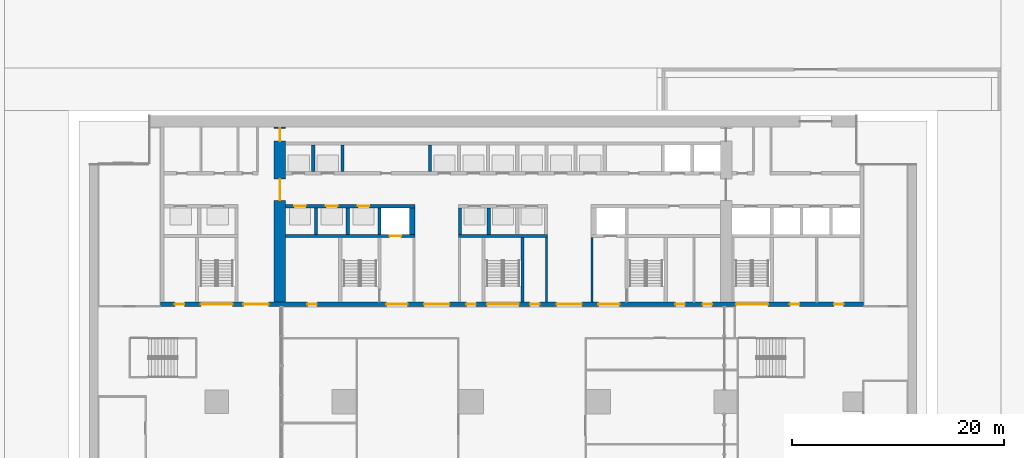
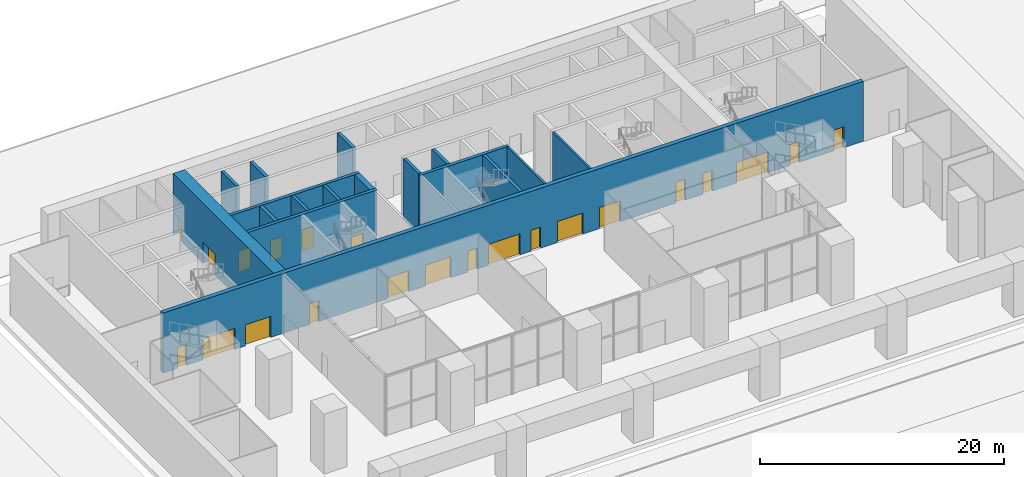
# One storey, part 7 of 16: 22 doors, 17 walls, 22 openings.
"""IFC4 building model written with IfcOpenShell, lengths in metres."""

from ifc_helpers import new_model, si_unit, direction, frame, frame_2d, origin, place, context, subcontext, project, spatial, rectangle, extrude, material, layer, layer_set, type_object, element, fill, save


model = new_model("IFC4")

# Units and contexts
model_context = context("Model", 3, precision=1e-05, world=origin(), true_north=direction((0.0, 1.0)))
body_context = subcontext(model_context, "Body", "Model", "MODEL_VIEW")
ifc_project = project(units=[si_unit("LENGTHUNIT", "METRE"), si_unit("AREAUNIT", "SQUARE_METRE"), si_unit("VOLUMEUNIT", "CUBIC_METRE"), si_unit("PLANEANGLEUNIT", "RADIAN"), si_unit("MASSUNIT", "GRAM", prefix="KILO")], contexts=[model_context])

# Site, building, storey
site_placement = place(None, origin())
site = spatial("IfcSite", under=ifc_project, at=site_placement, CompositionType="ELEMENT")
building_placement = place(site_placement, origin())
building = spatial("IfcBuilding", under=site, at=building_placement, Name="Calvaro Tower", CompositionType="ELEMENT")
storey_placement = place(building_placement, origin())
storey = spatial("IfcBuildingStorey", under=building, at=storey_placement, Name="L00", CompositionType="ELEMENT", Elevation=0.0)

# Walls
ifc_material_1 = material(Name="Blockwork partition", Category="masonry")
ifc_layer_1 = layer(ifc_material_1, 0.199951171875)
ifc_layer_set_1 = layer_set([ifc_layer_1], Name="Blockwork partition")
wall_type_1 = type_object("IfcWallType", Name="Core partition 200 REI 120", PredefinedType="PARTITIONING", material=ifc_layer_set_1)
for number, where, z_axis, x_axis, name in (
    (1, (43.10009765625, 28.39990234375, 0.0), (0.0, 0.0, 1.0), (0.0, 1.0, 0.0), "Core partition"),
    (2, (47.39990234375, 28.39990234375, 0.0), (0.0, 0.0, 1.0), (0.0, 1.0, 0.0), "Core partition"),
):
    element("IfcWall", number, at=place(storey_placement, frame(where, z_axis=z_axis, x_axis=x_axis)), inside=storey, type_object=wall_type_1, Name=name, PredefinedType="PARTITIONING", context=body_context, shape_type="SweptSolid", body=[
        extrude(rectangle(XDim=6.10009765625, YDim=0.199951171875, at=frame_2d((3.050048828125, 0.0))), origin(), (0.0, 0.0, 1.0), 6.0),
    ])

# Wall, openings, doors
ifc_material_2 = material(Name="Concrete C80/95", Category="concrete")
ifc_layer_2 = layer(ifc_material_2, 1.10009765625)
ifc_layer_set_2 = layer_set([ifc_layer_2], Name="Concrete C80/95")
wall_type_2 = type_object("IfcWallType", Name="Core wall C80/95 1100", PredefinedType="SHEAR", material=ifc_layer_set_2)
wall_1_placement = place(storey_placement, frame((17.949951171875, 28.39990234375, 0.0), z_axis=(0.0, 0.0, 1.0), x_axis=(0.0, 1.0, 0.0)))
wall_1 = element("IfcWall", 3, at=wall_1_placement, inside=storey, type_object=wall_type_2, Name="Core wall, cross shear wall", PredefinedType="SHEAR", context=body_context, shape_type="SweptSolid", body=[
    extrude(rectangle(XDim=16.5, YDim=1.10009765625, at=frame_2d((8.25, 0.0))), origin(), (0.0, 0.0, 1.0), 6.0),
])
opening_1_placement = place(wall_1_placement, frame((9.60009765625, 0.0, 0.0)))
opening_1 = element("IfcOpeningElement", 4, at=opening_1_placement, cuts=wall_1, Name="Opening DD20D", PredefinedType="OPENING", context=body_context, shape_type="SweptSolid", body=[
    extrude(rectangle(XDim=2.0, YDim=2.10009765625, at=frame_2d((1.0, 1.050048828125))), frame((0.0, 0.56005859375, 0.0), z_axis=(0.0, -1.0, 0.0), x_axis=(1.0, 0.0, 0.0)), (0.0, 0.0, 1.0), 1.1201171875),
])
opening_2_placement = place(wall_1_placement, frame((15.199951171875, 0.0, 0.0)))
opening_2 = element("IfcOpeningElement", 5, at=opening_2_placement, cuts=wall_1, Name="Opening FD12C", PredefinedType="OPENING", context=body_context, shape_type="SweptSolid", body=[
    extrude(rectangle(XDim=1.199951171875, YDim=2.10009765625, at=frame_2d((0.60009765625, 1.050048828125))), frame((0.0, 0.56005859375, 0.0), z_axis=(0.0, -1.0, 0.0), x_axis=(1.0, 0.0, 0.0)), (0.0, 0.0, 1.0), 1.1201171875),
])
ifc_material_3 = material(Name="Steel door set", Category="steel")
door_type_1 = type_object("IfcDoorType", Name="Fire door 1200 FD30", OperationType="SINGLE_SWING_LEFT", PredefinedType="DOOR", material=ifc_material_3)
door_1_placement = place(opening_2_placement, origin())
door_1 = element("IfcDoor", 6, at=door_1_placement, inside=storey, type_object=door_type_1, Name="Fire door", OperationType="SINGLE_SWING_RIGHT", OverallHeight=2.10009765625, OverallWidth=1.199951171875, PredefinedType="DOOR", context=body_context, shape_type="SweptSolid", body=[
    extrude(rectangle(XDim=1.199951171875, YDim=2.10009765625, at=frame_2d((0.60009765625, 1.050048828125))), frame((0.0, 0.02490234375, 0.0), z_axis=(0.0, -1.0, 0.0), x_axis=(1.0, 0.0, 0.0)), (0.0, 0.0, 1.0), 0.050048828125),
])
fill(opening_2, door_1)
ifc_material_4 = material(Name="Steel door set", Category="steel")
door_type_2 = type_object("IfcDoorType", Name="Lobby double door 2000 FD30S", OperationType="DOUBLE_DOOR_SINGLE_SWING", PredefinedType="DOOR", material=ifc_material_4)
door_2_placement = place(opening_1_placement, origin())
door_2 = element("IfcDoor", 7, at=door_2_placement, inside=storey, type_object=door_type_2, Name="Lobby double door", OperationType="DOUBLE_DOOR_SINGLE_SWING", OverallHeight=2.10009765625, OverallWidth=2.0, PredefinedType="DOOR", context=body_context, shape_type="SweptSolid", body=[
    extrude(rectangle(XDim=2.0, YDim=2.10009765625, at=frame_2d((1.0, 1.050048828125))), frame((0.0, 0.02490234375, 0.0), z_axis=(0.0, -1.0, 0.0), x_axis=(1.0, 0.0, 0.0)), (0.0, 0.0, 1.0), 0.050048828125),
])
fill(opening_1, door_2)

# Wall
ifc_material_5 = material(Name="Concrete C80/95", Category="concrete")
ifc_layer_3 = layer(ifc_material_5, 0.300048828125)
ifc_layer_set_3 = layer_set([ifc_layer_3], Name="Concrete C80/95")
wall_type_3 = type_object("IfcWallType", Name="Core wall C80/95 300", PredefinedType="SHEAR", material=ifc_layer_set_3)
wall_2_placement = place(storey_placement, frame((40.85009765625, 28.39990234375, 0.0), z_axis=(0.0, 0.0, 1.0), x_axis=(0.0, 1.0, 0.0)))
element("IfcWall", 8, at=wall_2_placement, inside=storey, type_object=wall_type_3, Name="Core wall, stair enclosure", PredefinedType="SHEAR", context=body_context, shape_type="SweptSolid", body=[
    extrude(rectangle(XDim=6.10009765625, YDim=0.300048828125, at=frame_2d((3.050048828125, 0.0))), origin(), (0.0, 0.0, 1.0), 6.0),
])

# Wall, opening, door
wall_3_placement = place(storey_placement, frame((18.5, 34.64990234375, 0.0), z_axis=(0.0, 0.0, 1.0), x_axis=(1.0, 0.0, 0.0)))
wall_3 = element("IfcWall", 9, at=wall_3_placement, inside=storey, type_object=wall_type_3, Name="Core wall, lift shaft", PredefinedType="SHEAR", context=body_context, shape_type="SweptSolid", body=[
    extrude(rectangle(XDim=12.199951171875, YDim=0.300048828125, at=frame_2d((6.10009765625, 0.0))), origin(), (0.0, 0.0, 1.0), 6.0),
])
opening_3_placement = place(wall_3_placement, frame((9.800048828125, 0.0, 0.0)))
opening_3 = element("IfcOpeningElement", 10, at=opening_3_placement, cuts=wall_3, Name="Opening FF1", PredefinedType="OPENING", context=body_context, shape_type="SweptSolid", body=[
    extrude(rectangle(XDim=1.10009765625, YDim=2.10009765625, at=frame_2d((0.550048828125, 1.050048828125))), frame((0.0, 0.159912109375, 0.0), z_axis=(0.0, -1.0, 0.0), x_axis=(1.0, 0.0, 0.0)), (0.0, 0.0, 1.0), 0.320068359375),
])
ifc_material_6 = material(Name="Stainless steel", Category="steel")
door_type_3 = type_object("IfcDoorType", Name="Landing door 1100 E 60", OperationType="SLIDING_TO_LEFT", PredefinedType="DOOR", material=ifc_material_6)
door_3_placement = place(opening_3_placement, origin())
door_3 = element("IfcDoor", 11, at=door_3_placement, inside=storey, type_object=door_type_3, Name="Landing door FF1", OperationType="SLIDING_TO_LEFT", OverallHeight=2.10009765625, OverallWidth=1.10009765625, PredefinedType="DOOR", context=body_context, shape_type="SweptSolid", body=[
    extrude(rectangle(XDim=1.10009765625, YDim=2.10009765625, at=frame_2d((0.550048828125, 1.050048828125))), frame((0.0, 0.02490234375, 0.0), z_axis=(0.0, -1.0, 0.0), x_axis=(1.0, 0.0, 0.0)), (0.0, 0.0, 1.0), 0.050048828125),
])
fill(opening_3, door_3)

# Wall
wall_4_placement = place(storey_placement, frame((34.800048828125, 34.64990234375, 0.0), z_axis=(0.0, 0.0, 1.0), x_axis=(1.0, 0.0, 0.0)))
element("IfcWall", 12, at=wall_4_placement, inside=storey, type_object=wall_type_3, Name="Core wall, lift shaft", PredefinedType="SHEAR", context=body_context, shape_type="SweptSolid", body=[
    extrude(rectangle(XDim=8.39990234375, YDim=0.300048828125, at=frame_2d((4.199951171875, 0.0))), origin(), (0.0, 0.0, 1.0), 6.0),
])

# Wall, openings, doors
wall_5_placement = place(storey_placement, frame((18.5, 37.449951171875, 0.0), z_axis=(0.0, 0.0, 1.0), x_axis=(1.0, 0.0, 0.0)))
wall_5 = element("IfcWall", 13, at=wall_5_placement, inside=storey, type_object=wall_type_3, Name="Core wall, lift shaft", PredefinedType="SHEAR", context=body_context, shape_type="SweptSolid", body=[
    extrude(rectangle(XDim=12.199951171875, YDim=0.300048828125, at=frame_2d((6.10009765625, 0.0))), origin(), (0.0, 0.0, 1.0), 6.0),
])
opening_4_placement = place(wall_5_placement, frame((0.800048828125, 0.0, 0.0)))
opening_4 = element("IfcOpeningElement", 14, at=opening_4_placement, cuts=wall_5, Name="Opening LR1", PredefinedType="OPENING", context=body_context, shape_type="SweptSolid", body=[
    extrude(rectangle(XDim=1.10009765625, YDim=2.10009765625, at=frame_2d((0.550048828125, 1.050048828125))), frame((0.0, 0.159912109375, 0.0), z_axis=(0.0, -1.0, 0.0), x_axis=(1.0, 0.0, 0.0)), (0.0, 0.0, 1.0), 0.320068359375),
])
opening_5_placement = place(wall_5_placement, frame((3.800048828125, 0.0, 0.0)))
opening_5 = element("IfcOpeningElement", 15, at=opening_5_placement, cuts=wall_5, Name="Opening LR2", PredefinedType="OPENING", context=body_context, shape_type="SweptSolid", body=[
    extrude(rectangle(XDim=1.10009765625, YDim=2.10009765625, at=frame_2d((0.550048828125, 1.050048828125))), frame((0.0, 0.159912109375, 0.0), z_axis=(0.0, -1.0, 0.0), x_axis=(1.0, 0.0, 0.0)), (0.0, 0.0, 1.0), 0.320068359375),
])
opening_6_placement = place(wall_5_placement, frame((6.800048828125, 0.0, 0.0)))
opening_6 = element("IfcOpeningElement", 16, at=opening_6_placement, cuts=wall_5, Name="Opening LR3", PredefinedType="OPENING", context=body_context, shape_type="SweptSolid", body=[
    extrude(rectangle(XDim=1.10009765625, YDim=2.10009765625, at=frame_2d((0.550048828125, 1.050048828125))), frame((0.0, 0.159912109375, 0.0), z_axis=(0.0, -1.0, 0.0), x_axis=(1.0, 0.0, 0.0)), (0.0, 0.0, 1.0), 0.320068359375),
])
door_4_placement = place(opening_4_placement, origin())
door_4 = element("IfcDoor", 17, at=door_4_placement, inside=storey, type_object=door_type_3, Name="Landing door LR1", OperationType="SLIDING_TO_LEFT", OverallHeight=2.10009765625, OverallWidth=1.10009765625, PredefinedType="DOOR", context=body_context, shape_type="SweptSolid", body=[
    extrude(rectangle(XDim=1.10009765625, YDim=2.10009765625, at=frame_2d((0.550048828125, 1.050048828125))), frame((0.0, 0.02490234375, 0.0), z_axis=(0.0, -1.0, 0.0), x_axis=(1.0, 0.0, 0.0)), (0.0, 0.0, 1.0), 0.050048828125),
])
fill(opening_4, door_4)
door_5_placement = place(opening_5_placement, origin())
door_5 = element("IfcDoor", 18, at=door_5_placement, inside=storey, type_object=door_type_3, Name="Landing door LR2", OperationType="SLIDING_TO_LEFT", OverallHeight=2.10009765625, OverallWidth=1.10009765625, PredefinedType="DOOR", context=body_context, shape_type="SweptSolid", body=[
    extrude(rectangle(XDim=1.10009765625, YDim=2.10009765625, at=frame_2d((0.550048828125, 1.050048828125))), frame((0.0, 0.02490234375, 0.0), z_axis=(0.0, -1.0, 0.0), x_axis=(1.0, 0.0, 0.0)), (0.0, 0.0, 1.0), 0.050048828125),
])
fill(opening_5, door_5)
door_6_placement = place(opening_6_placement, origin())
door_6 = element("IfcDoor", 19, at=door_6_placement, inside=storey, type_object=door_type_3, Name="Landing door LR3", OperationType="SLIDING_TO_LEFT", OverallHeight=2.10009765625, OverallWidth=1.10009765625, PredefinedType="DOOR", context=body_context, shape_type="SweptSolid", body=[
    extrude(rectangle(XDim=1.10009765625, YDim=2.10009765625, at=frame_2d((0.550048828125, 1.050048828125))), frame((0.0, 0.02490234375, 0.0), z_axis=(0.0, -1.0, 0.0), x_axis=(1.0, 0.0, 0.0)), (0.0, 0.0, 1.0), 0.050048828125),
])
fill(opening_6, door_6)

# Walls
for number, where, z_axis, x_axis, name in (
    (20, (27.35009765625, 34.800048828125, 0.0), (0.0, 0.0, 1.0), (0.0, 1.0, 0.0), "Core wall, lift shaft"),
    (21, (34.949951171875, 34.800048828125, 0.0), (0.0, 0.0, 1.0), (0.0, 1.0, 0.0), "Core wall, lift shaft"),
    (22, (21.35009765625, 34.800048828125, 0.0), (0.0, 0.0, 1.0), (0.0, 1.0, 0.0), "Core wall, lift shaft"),
    (23, (24.35009765625, 34.800048828125, 0.0), (0.0, 0.0, 1.0), (0.0, 1.0, 0.0), "Core wall, lift shaft"),
    (24, (37.64990234375, 34.800048828125, 0.0), (0.0, 0.0, 1.0), (0.0, 1.0, 0.0), "Core wall, lift shaft"),
    (25, (21.10009765625, 40.699951171875, 0.0), (0.0, 0.0, 1.0), (0.0, 1.0, 0.0), "Core wall, lift shaft"),
    (26, (23.85009765625, 40.699951171875, 0.0), (0.0, 0.0, 1.0), (0.0, 1.0, 0.0), "Core wall, lift shaft"),
    (27, (32.10009765625, 40.699951171875, 0.0), (0.0, 0.0, 1.0), (0.0, 1.0, 0.0), "Core wall, lift shaft"),
):
    element("IfcWall", number, at=place(storey_placement, frame(where, z_axis=z_axis, x_axis=x_axis)), inside=storey, type_object=wall_type_3, Name=name, PredefinedType="SHEAR", context=body_context, shape_type="SweptSolid", body=[
        extrude(rectangle(XDim=2.5, YDim=0.300048828125, at=frame_2d((1.25, 0.0))), origin(), (0.0, 0.0, 1.0), 6.0),
    ])

# Wall, openings, doors
ifc_material_7 = material(Name="Concrete C80/95", Category="concrete")
ifc_layer_4 = layer(ifc_material_7, 0.39990234375)
ifc_layer_set_4 = layer_set([ifc_layer_4], Name="Concrete C80/95")
wall_type_4 = type_object("IfcWallType", Name="Core wall C80/95 400", PredefinedType="SHEAR", material=ifc_layer_set_4)
wall_6_placement = place(storey_placement, frame((73.0, 28.199951171875, 0.0), z_axis=(0.0, 0.0, 1.0), x_axis=(-1.0, 0.0, 0.0)))
wall_6 = element("IfcWall", 28, at=wall_6_placement, inside=storey, type_object=wall_type_4, Name="Core wall, front", PredefinedType="SHEAR", context=body_context, shape_type="SweptSolid", body=[
    extrude(rectangle(XDim=66.300048828125, YDim=0.39990234375, at=frame_2d((33.14990234375, 0.0))), origin(), (0.0, 0.0, 1.0), 6.0),
])
opening_7_placement = place(wall_6_placement, frame((51.550048828125, 0.0, 0.0)))
opening_7 = element("IfcOpeningElement", 29, at=opening_7_placement, cuts=wall_6, Name="Opening RD9E", PredefinedType="OPENING", context=body_context, shape_type="SweptSolid", body=[
    extrude(rectangle(XDim=0.89990234375, YDim=2.10009765625, at=frame_2d((0.449951171875, 1.050048828125))), frame((0.0, 0.2099609375, 0.0), z_axis=(0.0, -1.0, 0.0), x_axis=(1.0, 0.0, 0.0)), (0.0, 0.0, 1.0), 0.419921875),
])
opening_8_placement = place(wall_6_placement, frame((16.83740234375, 0.0, 0.0)))
opening_8 = element("IfcOpeningElement", 30, at=opening_8_placement, cuts=wall_6, Name="Opening RD9C", PredefinedType="OPENING", context=body_context, shape_type="SweptSolid", body=[
    extrude(rectangle(XDim=0.89990234375, YDim=2.10009765625, at=frame_2d((0.449951171875, 1.050048828125))), frame((0.0, 0.2099609375, 0.0), z_axis=(0.0, -1.0, 0.0), x_axis=(1.0, 0.0, 0.0)), (0.0, 0.0, 1.0), 0.419921875),
])
opening_9_placement = place(wall_6_placement, frame((14.262451171875, 0.0, 0.0)))
opening_9 = element("IfcOpeningElement", 31, at=opening_9_placement, cuts=wall_6, Name="Opening RD9C", PredefinedType="OPENING", context=body_context, shape_type="SweptSolid", body=[
    extrude(rectangle(XDim=0.89990234375, YDim=2.10009765625, at=frame_2d((0.449951171875, 1.050048828125))), frame((0.0, 0.2099609375, 0.0), z_axis=(0.0, -1.0, 0.0), x_axis=(1.0, 0.0, 0.0)), (0.0, 0.0, 1.0), 0.419921875),
])
opening_10_placement = place(wall_6_placement, frame((64.050048828125, 0.0, 0.0)))
opening_10 = element("IfcOpeningElement", 32, at=opening_10_placement, cuts=wall_6, Name="Opening RD9C", PredefinedType="OPENING", context=body_context, shape_type="SweptSolid", body=[
    extrude(rectangle(XDim=0.89990234375, YDim=2.10009765625, at=frame_2d((0.449951171875, 1.050048828125))), frame((0.0, 0.2099609375, 0.0), z_axis=(0.0, -1.0, 0.0), x_axis=(1.0, 0.0, 0.0)), (0.0, 0.0, 1.0), 0.419921875),
])
opening_11_placement = place(wall_6_placement, frame((6.03759765625, 0.0, 0.0)))
opening_11 = element("IfcOpeningElement", 33, at=opening_11_placement, cuts=wall_6, Name="Opening RD9C", PredefinedType="OPENING", context=body_context, shape_type="SweptSolid", body=[
    extrude(rectangle(XDim=0.89990234375, YDim=2.10009765625, at=frame_2d((0.449951171875, 1.050048828125))), frame((0.0, 0.2099609375, 0.0), z_axis=(0.0, -1.0, 0.0), x_axis=(1.0, 0.0, 0.0)), (0.0, 0.0, 1.0), 0.419921875),
])
opening_12_placement = place(wall_6_placement, frame((1.862548828125, 0.0, 0.0)))
opening_12 = element("IfcOpeningElement", 34, at=opening_12_placement, cuts=wall_6, Name="Opening RD9C", PredefinedType="OPENING", context=body_context, shape_type="SweptSolid", body=[
    extrude(rectangle(XDim=0.89990234375, YDim=2.10009765625, at=frame_2d((0.449951171875, 1.050048828125))), frame((0.0, 0.2099609375, 0.0), z_axis=(0.0, -1.0, 0.0), x_axis=(1.0, 0.0, 0.0)), (0.0, 0.0, 1.0), 0.419921875),
])
opening_13_placement = place(wall_6_placement, frame((59.5, 0.0, 0.0)))
opening_13 = element("IfcOpeningElement", 35, at=opening_13_placement, cuts=wall_6, Name="Opening XD30DX", PredefinedType="OPENING", context=body_context, shape_type="SweptSolid", body=[
    extrude(rectangle(XDim=3.0, YDim=2.10009765625, at=frame_2d((1.5, 1.050048828125))), frame((0.0, 0.2099609375, 0.0), z_axis=(0.0, -1.0, 0.0), x_axis=(1.0, 0.0, 0.0)), (0.0, 0.0, 1.0), 0.419921875),
])
opening_14_placement = place(wall_6_placement, frame((32.5, 0.0, 0.0)))
opening_14 = element("IfcOpeningElement", 36, at=opening_14_placement, cuts=wall_6, Name="Opening XD30DX", PredefinedType="OPENING", context=body_context, shape_type="SweptSolid", body=[
    extrude(rectangle(XDim=3.0, YDim=2.10009765625, at=frame_2d((1.5, 1.050048828125))), frame((0.0, 0.2099609375, 0.0), z_axis=(0.0, -1.0, 0.0), x_axis=(1.0, 0.0, 0.0)), (0.0, 0.0, 1.0), 0.419921875),
])
opening_15_placement = place(wall_6_placement, frame((9.0, 0.0, 0.0)))
opening_15 = element("IfcOpeningElement", 37, at=opening_15_placement, cuts=wall_6, Name="Opening XD30DX", PredefinedType="OPENING", context=body_context, shape_type="SweptSolid", body=[
    extrude(rectangle(XDim=3.0, YDim=2.10009765625, at=frame_2d((1.5, 1.050048828125))), frame((0.0, 0.2099609375, 0.0), z_axis=(0.0, -1.0, 0.0), x_axis=(1.0, 0.0, 0.0)), (0.0, 0.0, 1.0), 0.419921875),
])
opening_16_placement = place(wall_6_placement, frame((43.0, 0.0, 0.0)))
opening_16 = element("IfcOpeningElement", 38, at=opening_16_placement, cuts=wall_6, Name="Opening XD20FX", PredefinedType="OPENING", context=body_context, shape_type="SweptSolid", body=[
    extrude(rectangle(XDim=2.0, YDim=2.10009765625, at=frame_2d((1.0, 1.050048828125))), frame((0.0, 0.2099609375, 0.0), z_axis=(0.0, -1.0, 0.0), x_axis=(1.0, 0.0, 0.0)), (0.0, 0.0, 1.0), 0.419921875),
])
opening_17_placement = place(wall_6_placement, frame((23.0, 0.0, 0.0)))
opening_17 = element("IfcOpeningElement", 39, at=opening_17_placement, cuts=wall_6, Name="Opening XD20FX", PredefinedType="OPENING", context=body_context, shape_type="SweptSolid", body=[
    extrude(rectangle(XDim=2.0, YDim=2.10009765625, at=frame_2d((1.0, 1.050048828125))), frame((0.0, 0.2099609375, 0.0), z_axis=(0.0, -1.0, 0.0), x_axis=(1.0, 0.0, 0.0)), (0.0, 0.0, 1.0), 0.419921875),
])
opening_18_placement = place(wall_6_placement, frame((39.050048828125, 0.0, 0.0)))
opening_18 = element("IfcOpeningElement", 40, at=opening_18_placement, cuts=wall_6, Name="Opening DD24D", PredefinedType="OPENING", context=body_context, shape_type="SweptSolid", body=[
    extrude(rectangle(XDim=2.39990234375, YDim=2.10009765625, at=frame_2d((1.199951171875, 1.050048828125))), frame((0.0, 0.2099609375, 0.0), z_axis=(0.0, -1.0, 0.0), x_axis=(1.0, 0.0, 0.0)), (0.0, 0.0, 1.0), 0.419921875),
])
opening_19_placement = place(wall_6_placement, frame((26.550048828125, 0.0, 0.0)))
opening_19 = element("IfcOpeningElement", 41, at=opening_19_placement, cuts=wall_6, Name="Opening DD24D", PredefinedType="OPENING", context=body_context, shape_type="SweptSolid", body=[
    extrude(rectangle(XDim=2.39990234375, YDim=2.10009765625, at=frame_2d((1.199951171875, 1.050048828125))), frame((0.0, 0.2099609375, 0.0), z_axis=(0.0, -1.0, 0.0), x_axis=(1.0, 0.0, 0.0)), (0.0, 0.0, 1.0), 0.419921875),
])
opening_20_placement = place(wall_6_placement, frame((56.10009765625, 0.0, 0.0)))
opening_20 = element("IfcOpeningElement", 42, at=opening_20_placement, cuts=wall_6, Name="Opening DD24D", PredefinedType="OPENING", context=body_context, shape_type="SweptSolid", body=[
    extrude(rectangle(XDim=2.39990234375, YDim=2.10009765625, at=frame_2d((1.199951171875, 1.050048828125))), frame((0.0, 0.2099609375, 0.0), z_axis=(0.0, -1.0, 0.0), x_axis=(1.0, 0.0, 0.0)), (0.0, 0.0, 1.0), 0.419921875),
])
opening_21_placement = place(wall_6_placement, frame((36.550048828125, 0.0, 0.0)))
opening_21 = element("IfcOpeningElement", 43, at=opening_21_placement, cuts=wall_6, Name="Opening RD9E", PredefinedType="OPENING", context=body_context, shape_type="SweptSolid", body=[
    extrude(rectangle(XDim=0.89990234375, YDim=2.10009765625, at=frame_2d((0.449951171875, 1.050048828125))), frame((0.0, 0.2099609375, 0.0), z_axis=(0.0, -1.0, 0.0), x_axis=(1.0, 0.0, 0.0)), (0.0, 0.0, 1.0), 0.419921875),
])
opening_22_placement = place(wall_6_placement, frame((30.550048828125, 0.0, 0.0)))
opening_22 = element("IfcOpeningElement", 44, at=opening_22_placement, cuts=wall_6, Name="Opening RD9E", PredefinedType="OPENING", context=body_context, shape_type="SweptSolid", body=[
    extrude(rectangle(XDim=0.89990234375, YDim=2.10009765625, at=frame_2d((0.449951171875, 1.050048828125))), frame((0.0, 0.2099609375, 0.0), z_axis=(0.0, -1.0, 0.0), x_axis=(1.0, 0.0, 0.0)), (0.0, 0.0, 1.0), 0.419921875),
])
ifc_material_8 = material(Name="Steel door set", Category="steel")
door_type_4 = type_object("IfcDoorType", Name="External stair exit double door 2000 FD60S", OperationType="DOUBLE_DOOR_SINGLE_SWING", PredefinedType="DOOR", material=ifc_material_8)
door_7_placement = place(opening_16_placement, origin())
door_7 = element("IfcDoor", 45, at=door_7_placement, inside=storey, type_object=door_type_4, Name="Stair exit double door", OperationType="DOUBLE_DOOR_SINGLE_SWING", OverallHeight=2.10009765625, OverallWidth=2.0, PredefinedType="DOOR", context=body_context, shape_type="SweptSolid", body=[
    extrude(rectangle(XDim=2.0, YDim=2.10009765625, at=frame_2d((1.0, 1.050048828125))), frame((0.0, 0.02490234375, 0.0), z_axis=(0.0, -1.0, 0.0), x_axis=(1.0, 0.0, 0.0)), (0.0, 0.0, 1.0), 0.050048828125),
])
fill(opening_16, door_7)
door_8_placement = place(opening_17_placement, origin())
door_8 = element("IfcDoor", 46, at=door_8_placement, inside=storey, type_object=door_type_4, Name="Stair exit double door", OperationType="DOUBLE_DOOR_SINGLE_SWING", OverallHeight=2.10009765625, OverallWidth=2.0, PredefinedType="DOOR", context=body_context, shape_type="SweptSolid", body=[
    extrude(rectangle(XDim=2.0, YDim=2.10009765625, at=frame_2d((1.0, 1.050048828125))), frame((0.0, 0.02490234375, 0.0), z_axis=(0.0, -1.0, 0.0), x_axis=(1.0, 0.0, 0.0)), (0.0, 0.0, 1.0), 0.050048828125),
])
fill(opening_17, door_8)
ifc_material_9 = material(Name="Steel door set", Category="steel")
door_type_5 = type_object("IfcDoorType", Name="External stair exit double door 3000 FD30S", OperationType="DOUBLE_DOOR_SINGLE_SWING", PredefinedType="DOOR", material=ifc_material_9)
door_9_placement = place(opening_13_placement, origin())
door_9 = element("IfcDoor", 47, at=door_9_placement, inside=storey, type_object=door_type_5, Name="Stair exit double door", OperationType="DOUBLE_DOOR_SINGLE_SWING", OverallHeight=2.10009765625, OverallWidth=3.0, PredefinedType="DOOR", context=body_context, shape_type="SweptSolid", body=[
    extrude(rectangle(XDim=3.0, YDim=2.10009765625, at=frame_2d((1.5, 1.050048828125))), frame((0.0, 0.02490234375, 0.0), z_axis=(0.0, -1.0, 0.0), x_axis=(1.0, 0.0, 0.0)), (0.0, 0.0, 1.0), 0.050048828125),
])
fill(opening_13, door_9)
door_10_placement = place(opening_14_placement, origin())
door_10 = element("IfcDoor", 48, at=door_10_placement, inside=storey, type_object=door_type_5, Name="Stair exit double door", OperationType="DOUBLE_DOOR_SINGLE_SWING", OverallHeight=2.10009765625, OverallWidth=3.0, PredefinedType="DOOR", context=body_context, shape_type="SweptSolid", body=[
    extrude(rectangle(XDim=3.0, YDim=2.10009765625, at=frame_2d((1.5, 1.050048828125))), frame((0.0, 0.02490234375, 0.0), z_axis=(0.0, -1.0, 0.0), x_axis=(1.0, 0.0, 0.0)), (0.0, 0.0, 1.0), 0.050048828125),
])
fill(opening_14, door_10)
door_11_placement = place(opening_15_placement, origin())
door_11 = element("IfcDoor", 49, at=door_11_placement, inside=storey, type_object=door_type_5, Name="Stair exit double door", OperationType="DOUBLE_DOOR_SINGLE_SWING", OverallHeight=2.10009765625, OverallWidth=3.0, PredefinedType="DOOR", context=body_context, shape_type="SweptSolid", body=[
    extrude(rectangle(XDim=3.0, YDim=2.10009765625, at=frame_2d((1.5, 1.050048828125))), frame((0.0, 0.02490234375, 0.0), z_axis=(0.0, -1.0, 0.0), x_axis=(1.0, 0.0, 0.0)), (0.0, 0.0, 1.0), 0.050048828125),
])
fill(opening_15, door_11)
ifc_material_10 = material(Name="Steel door set", Category="steel")
door_type_6 = type_object("IfcDoorType", Name="Lobby double door 2400 FD30S", OperationType="DOUBLE_DOOR_SINGLE_SWING", PredefinedType="DOOR", material=ifc_material_10)
door_12_placement = place(opening_18_placement, origin())
door_12 = element("IfcDoor", 50, at=door_12_placement, inside=storey, type_object=door_type_6, Name="Lobby double door", OperationType="DOUBLE_DOOR_SINGLE_SWING", OverallHeight=2.10009765625, OverallWidth=2.39990234375, PredefinedType="DOOR", context=body_context, shape_type="SweptSolid", body=[
    extrude(rectangle(XDim=2.39990234375, YDim=2.10009765625, at=frame_2d((1.199951171875, 1.050048828125))), frame((0.0, 0.02490234375, 0.0), z_axis=(0.0, -1.0, 0.0), x_axis=(1.0, 0.0, 0.0)), (0.0, 0.0, 1.0), 0.050048828125),
])
fill(opening_18, door_12)
door_13_placement = place(opening_19_placement, origin())
door_13 = element("IfcDoor", 51, at=door_13_placement, inside=storey, type_object=door_type_6, Name="Lobby double door", OperationType="DOUBLE_DOOR_SINGLE_SWING", OverallHeight=2.10009765625, OverallWidth=2.39990234375, PredefinedType="DOOR", context=body_context, shape_type="SweptSolid", body=[
    extrude(rectangle(XDim=2.39990234375, YDim=2.10009765625, at=frame_2d((1.199951171875, 1.050048828125))), frame((0.0, 0.02490234375, 0.0), z_axis=(0.0, -1.0, 0.0), x_axis=(1.0, 0.0, 0.0)), (0.0, 0.0, 1.0), 0.050048828125),
])
fill(opening_19, door_13)
door_14_placement = place(opening_20_placement, origin())
door_14 = element("IfcDoor", 52, at=door_14_placement, inside=storey, type_object=door_type_6, Name="Lobby double door", OperationType="DOUBLE_DOOR_SINGLE_SWING", OverallHeight=2.10009765625, OverallWidth=2.39990234375, PredefinedType="DOOR", context=body_context, shape_type="SweptSolid", body=[
    extrude(rectangle(XDim=2.39990234375, YDim=2.10009765625, at=frame_2d((1.199951171875, 1.050048828125))), frame((0.0, 0.02490234375, 0.0), z_axis=(0.0, -1.0, 0.0), x_axis=(1.0, 0.0, 0.0)), (0.0, 0.0, 1.0), 0.050048828125),
])
fill(opening_20, door_14)
ifc_material_11 = material(Name="Steel door set", Category="steel")
door_type_7 = type_object("IfcDoorType", Name="Room door 900 FD30", OperationType="SINGLE_SWING_LEFT", PredefinedType="DOOR", material=ifc_material_11)
door_15_placement = place(opening_8_placement, origin())
door_15 = element("IfcDoor", 53, at=door_15_placement, inside=storey, type_object=door_type_7, Name="Room door", OperationType="SINGLE_SWING_RIGHT", OverallHeight=2.10009765625, OverallWidth=0.89990234375, PredefinedType="DOOR", context=body_context, shape_type="SweptSolid", body=[
    extrude(rectangle(XDim=0.89990234375, YDim=2.10009765625, at=frame_2d((0.449951171875, 1.050048828125))), frame((0.0, 0.02490234375, 0.0), z_axis=(0.0, -1.0, 0.0), x_axis=(1.0, 0.0, 0.0)), (0.0, 0.0, 1.0), 0.050048828125),
])
fill(opening_8, door_15)
door_16_placement = place(opening_9_placement, origin())
door_16 = element("IfcDoor", 54, at=door_16_placement, inside=storey, type_object=door_type_7, Name="Room door", OperationType="SINGLE_SWING_RIGHT", OverallHeight=2.10009765625, OverallWidth=0.89990234375, PredefinedType="DOOR", context=body_context, shape_type="SweptSolid", body=[
    extrude(rectangle(XDim=0.89990234375, YDim=2.10009765625, at=frame_2d((0.449951171875, 1.050048828125))), frame((0.0, 0.02490234375, 0.0), z_axis=(0.0, -1.0, 0.0), x_axis=(1.0, 0.0, 0.0)), (0.0, 0.0, 1.0), 0.050048828125),
])
fill(opening_9, door_16)
door_17_placement = place(opening_10_placement, origin())
door_17 = element("IfcDoor", 55, at=door_17_placement, inside=storey, type_object=door_type_7, Name="Room door", OperationType="SINGLE_SWING_RIGHT", OverallHeight=2.10009765625, OverallWidth=0.89990234375, PredefinedType="DOOR", context=body_context, shape_type="SweptSolid", body=[
    extrude(rectangle(XDim=0.89990234375, YDim=2.10009765625, at=frame_2d((0.449951171875, 1.050048828125))), frame((0.0, 0.02490234375, 0.0), z_axis=(0.0, -1.0, 0.0), x_axis=(1.0, 0.0, 0.0)), (0.0, 0.0, 1.0), 0.050048828125),
])
fill(opening_10, door_17)
door_18_placement = place(opening_11_placement, origin())
door_18 = element("IfcDoor", 56, at=door_18_placement, inside=storey, type_object=door_type_7, Name="Room door", OperationType="SINGLE_SWING_RIGHT", OverallHeight=2.10009765625, OverallWidth=0.89990234375, PredefinedType="DOOR", context=body_context, shape_type="SweptSolid", body=[
    extrude(rectangle(XDim=0.89990234375, YDim=2.10009765625, at=frame_2d((0.449951171875, 1.050048828125))), frame((0.0, 0.02490234375, 0.0), z_axis=(0.0, -1.0, 0.0), x_axis=(1.0, 0.0, 0.0)), (0.0, 0.0, 1.0), 0.050048828125),
])
fill(opening_11, door_18)
door_19_placement = place(opening_12_placement, origin())
door_19 = element("IfcDoor", 57, at=door_19_placement, inside=storey, type_object=door_type_7, Name="Room door", OperationType="SINGLE_SWING_RIGHT", OverallHeight=2.10009765625, OverallWidth=0.89990234375, PredefinedType="DOOR", context=body_context, shape_type="SweptSolid", body=[
    extrude(rectangle(XDim=0.89990234375, YDim=2.10009765625, at=frame_2d((0.449951171875, 1.050048828125))), frame((0.0, 0.02490234375, 0.0), z_axis=(0.0, -1.0, 0.0), x_axis=(1.0, 0.0, 0.0)), (0.0, 0.0, 1.0), 0.050048828125),
])
fill(opening_12, door_19)
ifc_material_12 = material(Name="Steel door set", Category="steel")
door_type_8 = type_object("IfcDoorType", Name="Room door 900 FD60", OperationType="SINGLE_SWING_LEFT", PredefinedType="DOOR", material=ifc_material_12)
door_20_placement = place(opening_7_placement, origin())
door_20 = element("IfcDoor", 58, at=door_20_placement, inside=storey, type_object=door_type_8, Name="Room door", OperationType="SINGLE_SWING_RIGHT", OverallHeight=2.10009765625, OverallWidth=0.89990234375, PredefinedType="DOOR", context=body_context, shape_type="SweptSolid", body=[
    extrude(rectangle(XDim=0.89990234375, YDim=2.10009765625, at=frame_2d((0.449951171875, 1.050048828125))), frame((0.0, 0.02490234375, 0.0), z_axis=(0.0, -1.0, 0.0), x_axis=(1.0, 0.0, 0.0)), (0.0, 0.0, 1.0), 0.050048828125),
])
fill(opening_7, door_20)
door_21_placement = place(opening_21_placement, origin())
door_21 = element("IfcDoor", 59, at=door_21_placement, inside=storey, type_object=door_type_8, Name="Room door", OperationType="SINGLE_SWING_RIGHT", OverallHeight=2.10009765625, OverallWidth=0.89990234375, PredefinedType="DOOR", context=body_context, shape_type="SweptSolid", body=[
    extrude(rectangle(XDim=0.89990234375, YDim=2.10009765625, at=frame_2d((0.449951171875, 1.050048828125))), frame((0.0, 0.02490234375, 0.0), z_axis=(0.0, -1.0, 0.0), x_axis=(1.0, 0.0, 0.0)), (0.0, 0.0, 1.0), 0.050048828125),
])
fill(opening_21, door_21)
door_22_placement = place(opening_22_placement, origin())
door_22 = element("IfcDoor", 60, at=door_22_placement, inside=storey, type_object=door_type_8, Name="Room door", OperationType="SINGLE_SWING_RIGHT", OverallHeight=2.10009765625, OverallWidth=0.89990234375, PredefinedType="DOOR", context=body_context, shape_type="SweptSolid", body=[
    extrude(rectangle(XDim=0.89990234375, YDim=2.10009765625, at=frame_2d((0.449951171875, 1.050048828125))), frame((0.0, 0.02490234375, 0.0), z_axis=(0.0, -1.0, 0.0), x_axis=(1.0, 0.0, 0.0)), (0.0, 0.0, 1.0), 0.050048828125),
])
fill(opening_22, door_22)

# Wall
ifc_material_13 = material(Name="Concrete C80/95", Category="concrete")
ifc_layer_5 = layer(ifc_material_13, 0.5)
ifc_layer_set_5 = layer_set([ifc_layer_5], Name="Concrete C80/95")
wall_type_5 = type_object("IfcWallType", Name="Core wall C80/95 500", PredefinedType="SHEAR", material=ifc_layer_set_5)
wall_7_placement = place(storey_placement, frame((30.449951171875, 34.800048828125, 0.0), z_axis=(0.0, 0.0, 1.0), x_axis=(0.0, 1.0, 0.0)))
element("IfcWall", 61, at=wall_7_placement, inside=storey, type_object=wall_type_5, Name="Core wall, lift shaft", PredefinedType="SHEAR", context=body_context, shape_type="SweptSolid", body=[
    extrude(rectangle(XDim=2.5, YDim=0.5, at=frame_2d((1.25, 0.0))), origin(), (0.0, 0.0, 1.0), 6.0),
])

save(model, "model.ifc")
